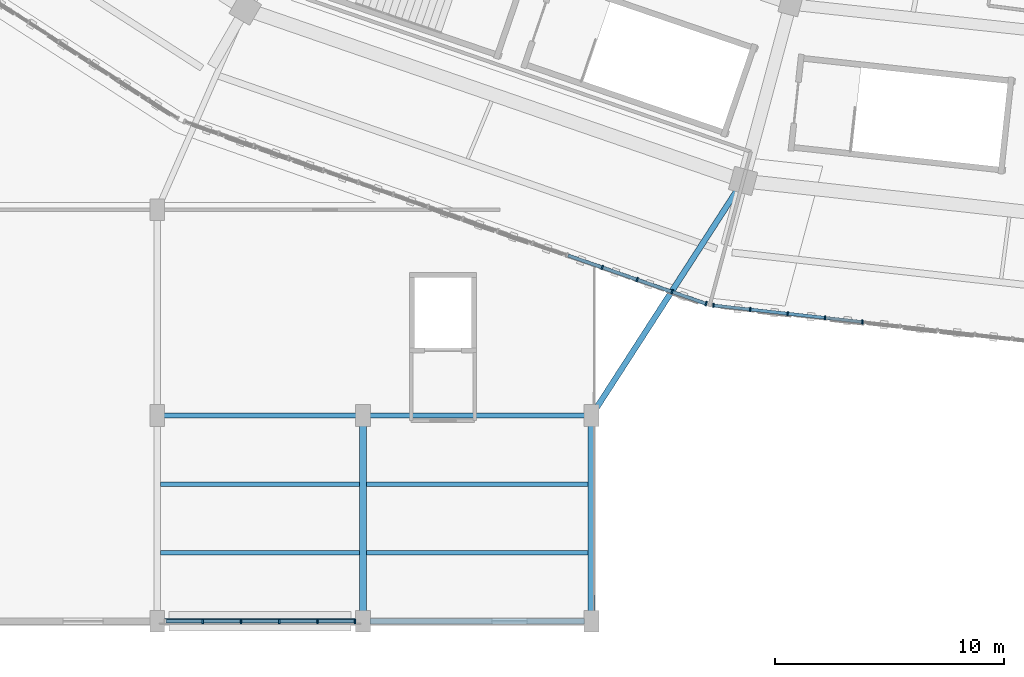
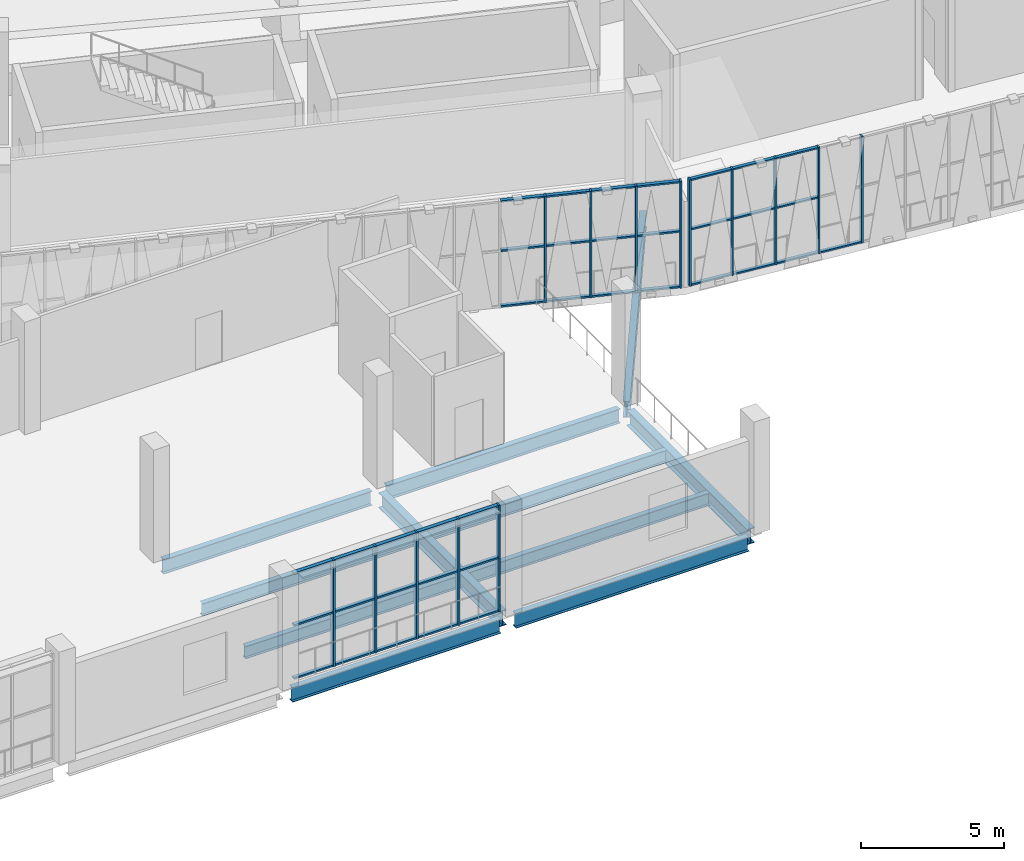
# One storey, part 12 of 152: 51 members, 11 beams, 3 elements without a shape of their own.
"""IFC4 building model written with IfcOpenShell, lengths in metres."""

from ifc_helpers import new_model, si_unit, direction, frame, origin, origin_2d, place, context, subcontext, project, spatial, rectangle, i_section, extrude, material, material_profile, profile_set, type_object, element, aggregate, save


model = new_model("IFC4")

# Units and contexts
model_context = context("Model", 3, precision=1e-05, world=origin(), true_north=direction((0.0, 1.0)))
body_context = subcontext(model_context, "Body", "Model", "MODEL_VIEW")
ifc_project = project(units=[si_unit("LENGTHUNIT", "METRE"), si_unit("AREAUNIT", "SQUARE_METRE"), si_unit("VOLUMEUNIT", "CUBIC_METRE"), si_unit("PLANEANGLEUNIT", "RADIAN"), si_unit("MASSUNIT", "GRAM", prefix="KILO")], contexts=[model_context])

# Site, building, storey
site_placement = place(None, origin())
site = spatial("IfcSite", under=ifc_project, at=site_placement, CompositionType="ELEMENT")
building_placement = place(site_placement, origin())
building = spatial("IfcBuilding", under=site, at=building_placement, Name="Zevraka Park Crest Stadium", CompositionType="ELEMENT")
storey_placement = place(building_placement, frame((0.0, 0.0, 15.0)))
storey = spatial("IfcBuildingStorey", under=building, at=storey_placement, Name="L03", CompositionType="ELEMENT", Elevation=15.0)

# Beams
ifc_material_1 = material(Name="Steel S355", Category="steel")
ifc_material_profile_1 = material_profile(ifc_material_1, i_section(OverallWidth=0.253662109375, OverallDepth=0.68359375, WebThickness=0.012451171875, FlangeThickness=0.01904296875, at=origin_2d()), Name="UKB 686x254x140")
ifc_profile_set_1 = profile_set([ifc_material_profile_1], Name="Steel S355")
beam_type_1 = type_object("IfcBeamType", Name="BG05", PredefinedType="BEAM", material=ifc_profile_set_1)
beam_placement = place(storey_placement, frame((82.10791015625, 9.16796875, -0.649658203125), z_axis=(0.542497990174, 0.840057099641, 0.0), x_axis=(-0.840057099641, 0.542497990174, 0.0)))
element("IfcBeam", 1, at=beam_placement, inside=storey, type_object=beam_type_1, Name="Wing Link Girder BG05 L03-10/B", PredefinedType="BEAM", context=body_context, shape_type="SweptSolid", body=[
    extrude(i_section(OverallWidth=0.253662109375, OverallDepth=0.68359375, WebThickness=0.012451171875, FlangeThickness=0.01904296875, at=origin_2d()), origin(), (0.0, 0.0, 1.0), 11.640869140625),
])
ifc_material_2 = material(Name="Steel S355", Category="steel")
ifc_material_profile_2 = material_profile(ifc_material_2, i_section(OverallWidth=0.300048828125, OverallDepth=0.64990234375, WebThickness=0.01611328125, FlangeThickness=0.031005859375, at=origin_2d()), Name="HEB 650")
ifc_profile_set_2 = profile_set([ifc_material_profile_2], Name="Steel S355")
beam_type_2 = type_object("IfcBeamType", Name="BG07", PredefinedType="BEAM", material=ifc_profile_set_2)
for number, where, z_axis, x_axis, name in (
    (2, (72.0, 0.300048828125, -0.633056640625), (0.0, 1.0, 0.0), (-1.0, 0.0, 0.0), "Wing Girder BG07 L03-9/AB"),
    (3, (82.0, 0.300048828125, -0.633056640625), (0.0, 1.0, 0.0), (-1.0, 0.0, 0.0), "Wing Girder BG07 L03-10/AB"),
):
    element("IfcBeam", number, at=place(storey_placement, frame(where, z_axis=z_axis, x_axis=x_axis)), inside=storey, type_object=beam_type_2, Name=name, PredefinedType="BEAM", context=body_context, shape_type="SweptSolid", body=[
        extrude(i_section(OverallWidth=0.300048828125, OverallDepth=0.64990234375, WebThickness=0.01611328125, FlangeThickness=0.031005859375, at=origin_2d()), origin(), (0.0, 0.0, 1.0), 8.39990234375),
    ])
ifc_material_3 = material(Name="Steel S355", Category="steel")
ifc_material_profile_3 = material_profile(ifc_material_3, i_section(OverallWidth=0.22900390625, OverallDepth=0.612060546875, WebThickness=0.011962890625, FlangeThickness=0.01953125, at=origin_2d()), Name="UKB 610x229x125")
ifc_profile_set_3 = profile_set([ifc_material_profile_3], Name="Steel S355")
beam_type_3 = type_object("IfcBeamType", Name="BG09", PredefinedType="BEAM", material=ifc_profile_set_3)
for number, where, z_axis, x_axis, name in (
    (4, (63.300048828125, 0.0, -0.614013671875), (1.0, 0.0, 0.0), (0.0, 1.0, 0.0), "Wing Girder BG09 L03-89/A"),
    (5, (63.300048828125, 9.0, -0.614013671875), (1.0, 0.0, 0.0), (0.0, 1.0, 0.0), "Wing Girder BG09 L03-89/B"),
):
    element("IfcBeam", number, at=place(storey_placement, frame(where, z_axis=z_axis, x_axis=x_axis)), inside=storey, type_object=beam_type_3, Name=name, PredefinedType="BEAM", context=body_context, shape_type="SweptSolid", body=[
        extrude(i_section(OverallWidth=0.22900390625, OverallDepth=0.612060546875, WebThickness=0.011962890625, FlangeThickness=0.01953125, at=origin_2d()), origin(), (0.0, 0.0, 1.0), 8.39990234375),
    ])
for number, where, z_axis, x_axis, name in (
    (6, (72.300048828125, 0.0, -0.614013671875), (1.0, 0.0, 0.0), (0.0, 1.0, 0.0), "Wing Girder BG09 L03-910/A"),
    (7, (72.300048828125, 9.0, -0.614013671875), (1.0, 0.0, 0.0), (0.0, 1.0, 0.0), "Wing Girder BG09 L03-910/B"),
):
    element("IfcBeam", number, at=place(storey_placement, frame(where, z_axis=z_axis, x_axis=x_axis)), inside=storey, type_object=beam_type_3, Name=name, PredefinedType="BEAM", context=body_context, shape_type="SweptSolid", body=[
        extrude(i_section(OverallWidth=0.22900390625, OverallDepth=0.612060546875, WebThickness=0.011962890625, FlangeThickness=0.01953125, at=origin_2d()), origin(), (0.0, 0.0, 1.0), 9.39990234375),
    ])

# Curtain wall, members
ifc_material_4 = material(Name="Anodised architectural aluminium and laminated safety glass", Category="aluminium")
curtain_wall_type_1 = type_object("IfcCurtainWallType", Name="CW11", PredefinedType="NOTDEFINED", material=ifc_material_4)
curtain_wall_1_placement = place(storey_placement, origin())
curtain_wall_1 = element("IfcCurtainWall", 8, at=curtain_wall_1_placement, inside=storey, type_object=curtain_wall_type_1, Name="Unitised Ring Curtain Wall CW11 L03-17", PredefinedType="NOTDEFINED")
ifc_material_5 = material(Name="Anodised architectural aluminium", Category="aluminium")
ifc_material_profile_4 = material_profile(ifc_material_5, rectangle(XDim=0.179931640625, YDim=0.06494140625, at=origin_2d()), Name="ALU MULLION 180x65")
ifc_profile_set_4 = profile_set([ifc_material_profile_4], Name="Anodised architectural aluminium")
member_type_1 = type_object("IfcMemberType", Name="CM02", PredefinedType="MULLION", material=ifc_profile_set_4)
member_1_placement = place(storey_placement, frame((87.333251953125, 13.8203125, 0.0), z_axis=(0.0, 0.0, 1.0), x_axis=(0.110396006373, 0.993887680665, 0.0)))
member_1 = element("IfcMember", 9, at=member_1_placement, type_object=member_type_1, Name="CW11 mullion 1", PredefinedType="MULLION", context=body_context, shape_type="SweptSolid", body=[
    extrude(rectangle(XDim=0.179931640625, YDim=0.06494140625, at=origin_2d()), origin(), (0.0, 0.0, 1.0), 4.5400390625),
])
member_2_placement = place(storey_placement, frame((88.93896484375, 13.64208984375, 0.0), z_axis=(0.0, 0.0, 1.0), x_axis=(0.110396006373, 0.993887680665, 0.0)))
member_2 = element("IfcMember", 10, at=member_2_placement, type_object=member_type_1, Name="CW11 mullion 2", PredefinedType="MULLION", context=body_context, shape_type="SweptSolid", body=[
    extrude(rectangle(XDim=0.179931640625, YDim=0.06494140625, at=origin_2d()), origin(), (0.0, 0.0, 1.0), 4.5400390625),
])
member_3_placement = place(storey_placement, frame((90.576904296875, 13.460205078125, 0.0), z_axis=(0.0, 0.0, 1.0), x_axis=(0.110396006373, 0.993887680665, 0.0)))
member_3 = element("IfcMember", 11, at=member_3_placement, type_object=member_type_1, Name="CW11 mullion 3", PredefinedType="MULLION", context=body_context, shape_type="SweptSolid", body=[
    extrude(rectangle(XDim=0.179931640625, YDim=0.06494140625, at=origin_2d()), origin(), (0.0, 0.0, 1.0), 4.5400390625),
])
member_4_placement = place(storey_placement, frame((92.21484375, 13.2783203125, 0.0), z_axis=(0.0, 0.0, 1.0), x_axis=(0.110396006373, 0.993887680665, 0.0)))
member_4 = element("IfcMember", 12, at=member_4_placement, type_object=member_type_1, Name="CW11 mullion 4", PredefinedType="MULLION", context=body_context, shape_type="SweptSolid", body=[
    extrude(rectangle(XDim=0.179931640625, YDim=0.06494140625, at=origin_2d()), origin(), (0.0, 0.0, 1.0), 4.5400390625),
])
member_5_placement = place(storey_placement, frame((93.852783203125, 13.09619140625, 0.0), z_axis=(0.0, 0.0, 1.0), x_axis=(0.110396006373, 0.993887680665, 0.0)))
member_5 = element("IfcMember", 13, at=member_5_placement, type_object=member_type_1, Name="CW11 mullion 5", PredefinedType="MULLION", context=body_context, shape_type="SweptSolid", body=[
    extrude(rectangle(XDim=0.179931640625, YDim=0.06494140625, at=origin_2d()), origin(), (0.0, 0.0, 1.0), 4.5400390625),
])

ifc_material_6 = material(Name="Anodised architectural aluminium and laminated safety glass", Category="aluminium")
curtain_wall_type_2 = type_object("IfcCurtainWallType", Name="CW12", PredefinedType="NOTDEFINED", material=ifc_material_6)
curtain_wall_2_placement = place(storey_placement, origin())
curtain_wall_2 = element("IfcCurtainWall", 14, at=curtain_wall_2_placement, inside=storey, type_object=curtain_wall_type_2, Name="Unitised Ring Curtain Wall CW12 L03-16", PredefinedType="NOTDEFINED")
ifc_material_7 = material(Name="Anodised architectural aluminium", Category="aluminium")
ifc_material_profile_5 = material_profile(ifc_material_7, rectangle(XDim=0.199951171875, YDim=0.070068359375, at=origin_2d()), Name="ALU MULLION 200x70")
ifc_profile_set_5 = profile_set([ifc_material_profile_5], Name="Anodised architectural aluminium")
member_type_2 = type_object("IfcMemberType", Name="CM03", PredefinedType="MULLION", material=ifc_profile_set_5)
member_6_placement = place(storey_placement, frame((82.469482421875, 15.481689453125, 0.0), z_axis=(0.0, 0.0, 1.0), x_axis=(0.329916814701, 0.944010008092, 0.0)))
member_6 = element("IfcMember", 15, at=member_6_placement, type_object=member_type_2, Name="CW12 mullion 13", PredefinedType="MULLION", context=body_context, shape_type="SweptSolid", body=[
    extrude(rectangle(XDim=0.199951171875, YDim=0.070068359375, at=origin_2d()), origin(), (0.0, 0.0, 1.0), 4.5400390625),
])
member_7_placement = place(storey_placement, frame((83.995361328125, 14.948486328125, 0.0), z_axis=(0.0, 0.0, 1.0), x_axis=(0.329916814701, 0.944010008092, 0.0)))
member_7 = element("IfcMember", 16, at=member_7_placement, type_object=member_type_2, Name="CW12 mullion 14", PredefinedType="MULLION", context=body_context, shape_type="SweptSolid", body=[
    extrude(rectangle(XDim=0.199951171875, YDim=0.070068359375, at=origin_2d()), origin(), (0.0, 0.0, 1.0), 4.5400390625),
])
member_8_placement = place(storey_placement, frame((85.521240234375, 14.415283203125, 0.0), z_axis=(0.0, 0.0, 1.0), x_axis=(0.329916814701, 0.944010008092, 0.0)))
member_8 = element("IfcMember", 17, at=member_8_placement, type_object=member_type_2, Name="CW12 mullion 15", PredefinedType="MULLION", context=body_context, shape_type="SweptSolid", body=[
    extrude(rectangle(XDim=0.199951171875, YDim=0.070068359375, at=origin_2d()), origin(), (0.0, 0.0, 1.0), 4.5400390625),
])
member_9_placement = place(storey_placement, frame((87.013916015625, 13.8935546875, 0.0), z_axis=(0.0, 0.0, 1.0), x_axis=(0.329916814701, 0.944010008092, 0.0)))
member_9 = element("IfcMember", 18, at=member_9_placement, type_object=member_type_2, Name="CW12 mullion 16", PredefinedType="MULLION", context=body_context, shape_type="SweptSolid", body=[
    extrude(rectangle(XDim=0.199951171875, YDim=0.070068359375, at=origin_2d()), origin(), (0.0, 0.0, 1.0), 4.5400390625),
])

ifc_material_8 = material(Name="Anodised architectural aluminium and laminated safety glass", Category="aluminium")
curtain_wall_type_3 = type_object("IfcCurtainWallType", Name="CW30", PredefinedType="NOTDEFINED", material=ifc_material_8)
curtain_wall_3_placement = place(storey_placement, origin())
curtain_wall_3 = element("IfcCurtainWall", 19, at=curtain_wall_3_placement, inside=storey, type_object=curtain_wall_type_3, Name="Wing Curtain Wall CW30 L03-SW-S3-2", PredefinedType="NOTDEFINED")
member_10_placement = place(storey_placement, frame((71.64990234375, 0.0, 0.0), z_axis=(0.0, 0.0, 1.0), x_axis=(0.0, -1.0, 0.0)))
member_10 = element("IfcMember", 20, at=member_10_placement, type_object=member_type_2, Name="CW30 mullion 1", PredefinedType="MULLION", context=body_context, shape_type="SweptSolid", body=[
    extrude(rectangle(XDim=0.199951171875, YDim=0.070068359375, at=origin_2d()), origin(), (0.0, 0.0, 1.0), 4.5400390625),
])
member_11_placement = place(storey_placement, frame((70.010986328125, 0.0, 0.0), z_axis=(0.0, 0.0, 1.0), x_axis=(0.0, -1.0, 0.0)))
member_11 = element("IfcMember", 21, at=member_11_placement, type_object=member_type_2, Name="CW30 mullion 2", PredefinedType="MULLION", context=body_context, shape_type="SweptSolid", body=[
    extrude(rectangle(XDim=0.199951171875, YDim=0.070068359375, at=origin_2d()), origin(), (0.0, 0.0, 1.0), 4.5400390625),
])
member_12_placement = place(storey_placement, frame((68.3369140625, 0.0, 0.0), z_axis=(0.0, 0.0, 1.0), x_axis=(0.0, -1.0, 0.0)))
member_12 = element("IfcMember", 22, at=member_12_placement, type_object=member_type_2, Name="CW30 mullion 3", PredefinedType="MULLION", context=body_context, shape_type="SweptSolid", body=[
    extrude(rectangle(XDim=0.199951171875, YDim=0.070068359375, at=origin_2d()), origin(), (0.0, 0.0, 1.0), 4.5400390625),
])
member_13_placement = place(storey_placement, frame((66.6630859375, 0.0, 0.0), z_axis=(0.0, 0.0, 1.0), x_axis=(0.0, -1.0, 0.0)))
member_13 = element("IfcMember", 23, at=member_13_placement, type_object=member_type_2, Name="CW30 mullion 4", PredefinedType="MULLION", context=body_context, shape_type="SweptSolid", body=[
    extrude(rectangle(XDim=0.199951171875, YDim=0.070068359375, at=origin_2d()), origin(), (0.0, 0.0, 1.0), 4.5400390625),
])
member_14_placement = place(storey_placement, frame((64.989013671875, 0.0, 0.0), z_axis=(0.0, 0.0, 1.0), x_axis=(0.0, -1.0, 0.0)))
member_14 = element("IfcMember", 24, at=member_14_placement, type_object=member_type_2, Name="CW30 mullion 5", PredefinedType="MULLION", context=body_context, shape_type="SweptSolid", body=[
    extrude(rectangle(XDim=0.199951171875, YDim=0.070068359375, at=origin_2d()), origin(), (0.0, 0.0, 1.0), 4.5400390625),
])

# Member
ifc_material_9 = material(Name="Anodised architectural aluminium", Category="aluminium")
ifc_material_profile_6 = material_profile(ifc_material_9, rectangle(XDim=0.139892578125, YDim=0.06494140625, at=origin_2d()), Name="ALU TRANSOM 140x65")
ifc_profile_set_6 = profile_set([ifc_material_profile_6], Name="Anodised architectural aluminium")
member_type_3 = type_object("IfcMemberType", Name="CT02", PredefinedType="USERDEFINED", material=ifc_profile_set_6)
member_15_placement = place(storey_placement, frame((87.36572265625, 13.81689453125, 0.032470703125), z_axis=(0.993889494064, -0.110379679236, 0.0), x_axis=(0.110379679236, 0.993889494064, 0.0)))
member_15 = element("IfcMember", 25, at=member_15_placement, type_object=member_type_3, Name="CW11 transom 1.1", ObjectType="TRANSOM", PredefinedType="USERDEFINED", context=body_context, shape_type="SweptSolid", body=[
    extrude(rectangle(XDim=0.139892578125, YDim=0.06494140625, at=origin_2d()), origin(), (0.0, 0.0, 1.0), 1.550537109375),
])

member_16_placement = place(storey_placement, frame((87.36572265625, 13.81689453125, 2.39990234375), z_axis=(0.993889494064, -0.110379679236, 0.0), x_axis=(0.110379679236, 0.993889494064, 0.0)))
member_16 = element("IfcMember", 26, at=member_16_placement, type_object=member_type_3, Name="CW11 transom 1.2", ObjectType="TRANSOM", PredefinedType="USERDEFINED", context=body_context, shape_type="SweptSolid", body=[
    extrude(rectangle(XDim=0.139892578125, YDim=0.06494140625, at=origin_2d()), origin(), (0.0, 0.0, 1.0), 1.550537109375),
])

member_17_placement = place(storey_placement, frame((87.36572265625, 13.81689453125, 4.507568359375), z_axis=(0.993889494064, -0.110379679236, 0.0), x_axis=(0.110379679236, 0.993889494064, 0.0)))
member_17 = element("IfcMember", 27, at=member_17_placement, type_object=member_type_3, Name="CW11 transom 1.3", ObjectType="TRANSOM", PredefinedType="USERDEFINED", context=body_context, shape_type="SweptSolid", body=[
    extrude(rectangle(XDim=0.139892578125, YDim=0.06494140625, at=origin_2d()), origin(), (0.0, 0.0, 1.0), 1.550537109375),
])

member_18_placement = place(storey_placement, frame((88.97119140625, 13.638427734375, 0.032470703125), z_axis=(0.993885615143, -0.110414600534, 0.0), x_axis=(0.110414600534, 0.993885615143, 0.0)))
member_18 = element("IfcMember", 28, at=member_18_placement, type_object=member_type_3, Name="CW11 transom 2.1", ObjectType="TRANSOM", PredefinedType="USERDEFINED", context=body_context, shape_type="SweptSolid", body=[
    extrude(rectangle(XDim=0.139892578125, YDim=0.06494140625, at=origin_2d()), origin(), (0.0, 0.0, 1.0), 1.583251953125),
])

member_19_placement = place(storey_placement, frame((88.97119140625, 13.638427734375, 2.39990234375), z_axis=(0.993885615143, -0.110414600534, 0.0), x_axis=(0.110414600534, 0.993885615143, 0.0)))
member_19 = element("IfcMember", 29, at=member_19_placement, type_object=member_type_3, Name="CW11 transom 2.2", ObjectType="TRANSOM", PredefinedType="USERDEFINED", context=body_context, shape_type="SweptSolid", body=[
    extrude(rectangle(XDim=0.139892578125, YDim=0.06494140625, at=origin_2d()), origin(), (0.0, 0.0, 1.0), 1.583251953125),
])

member_20_placement = place(storey_placement, frame((88.97119140625, 13.638427734375, 4.507568359375), z_axis=(0.993885615143, -0.110414600534, 0.0), x_axis=(0.110414600534, 0.993885615143, 0.0)))
member_20 = element("IfcMember", 30, at=member_20_placement, type_object=member_type_3, Name="CW11 transom 2.3", ObjectType="TRANSOM", PredefinedType="USERDEFINED", context=body_context, shape_type="SweptSolid", body=[
    extrude(rectangle(XDim=0.139892578125, YDim=0.06494140625, at=origin_2d()), origin(), (0.0, 0.0, 1.0), 1.583251953125),
])

member_21_placement = place(storey_placement, frame((90.609130859375, 13.45654296875, 0.032470703125), z_axis=(0.993885615143, -0.110414600534, 0.0), x_axis=(0.110414600534, 0.993885615143, 0.0)))
member_21 = element("IfcMember", 31, at=member_21_placement, type_object=member_type_3, Name="CW11 transom 3.1", ObjectType="TRANSOM", PredefinedType="USERDEFINED", context=body_context, shape_type="SweptSolid", body=[
    extrude(rectangle(XDim=0.139892578125, YDim=0.06494140625, at=origin_2d()), origin(), (0.0, 0.0, 1.0), 1.583251953125),
])

member_22_placement = place(storey_placement, frame((90.609130859375, 13.45654296875, 2.39990234375), z_axis=(0.993885615143, -0.110414600534, 0.0), x_axis=(0.110414600534, 0.993885615143, 0.0)))
member_22 = element("IfcMember", 32, at=member_22_placement, type_object=member_type_3, Name="CW11 transom 3.2", ObjectType="TRANSOM", PredefinedType="USERDEFINED", context=body_context, shape_type="SweptSolid", body=[
    extrude(rectangle(XDim=0.139892578125, YDim=0.06494140625, at=origin_2d()), origin(), (0.0, 0.0, 1.0), 1.583251953125),
])

member_23_placement = place(storey_placement, frame((90.609130859375, 13.45654296875, 4.507568359375), z_axis=(0.993885615143, -0.110414600534, 0.0), x_axis=(0.110414600534, 0.993885615143, 0.0)))
member_23 = element("IfcMember", 33, at=member_23_placement, type_object=member_type_3, Name="CW11 transom 3.3", ObjectType="TRANSOM", PredefinedType="USERDEFINED", context=body_context, shape_type="SweptSolid", body=[
    extrude(rectangle(XDim=0.139892578125, YDim=0.06494140625, at=origin_2d()), origin(), (0.0, 0.0, 1.0), 1.583251953125),
])

member_24_placement = place(storey_placement, frame((92.2470703125, 13.274658203125, 0.032470703125), z_axis=(0.993883734674, -0.110431526075, 0.0), x_axis=(0.110431526075, 0.993883734674, 0.0)))
member_24 = element("IfcMember", 34, at=member_24_placement, type_object=member_type_3, Name="CW11 transom 4.1", ObjectType="TRANSOM", PredefinedType="USERDEFINED", context=body_context, shape_type="SweptSolid", body=[
    extrude(rectangle(XDim=0.139892578125, YDim=0.06494140625, at=origin_2d()), origin(), (0.0, 0.0, 1.0), 1.5830078125),
])

aggregate(curtain_wall_1, [member_1, member_2, member_3, member_4, member_5, member_15, member_16, member_17, member_18, member_19, member_20, member_21, member_22, member_23, member_24])

ifc_material_10 = material(Name="Anodised architectural aluminium", Category="aluminium")
ifc_material_profile_7 = material_profile(ifc_material_10, rectangle(XDim=0.14990234375, YDim=0.070068359375, at=origin_2d()), Name="ALU TRANSOM 150x70")
ifc_profile_set_7 = profile_set([ifc_material_profile_7], Name="Anodised architectural aluminium")
member_type_4 = type_object("IfcMemberType", Name="CT03", PredefinedType="USERDEFINED", material=ifc_profile_set_7)
member_25_placement = place(storey_placement, frame((80.9765625, 16.00341796875, 0.034912109375), z_axis=(0.944037911501, -0.329836962222, 0.0), x_axis=(0.329836962222, 0.944037911501, 0.0)))
member_25 = element("IfcMember", 35, at=member_25_placement, type_object=member_type_4, Name="CW12 transom 12.1", ObjectType="TRANSOM", PredefinedType="USERDEFINED", context=body_context, shape_type="SweptSolid", body=[
    extrude(rectangle(XDim=0.14990234375, YDim=0.070068359375, at=origin_2d()), origin(), (0.0, 0.0, 1.0), 1.546142578125),
])

member_26_placement = place(storey_placement, frame((80.9765625, 16.00341796875, 2.39990234375), z_axis=(0.944037911501, -0.329836962222, 0.0), x_axis=(0.329836962222, 0.944037911501, 0.0)))
member_26 = element("IfcMember", 36, at=member_26_placement, type_object=member_type_4, Name="CW12 transom 12.2", ObjectType="TRANSOM", PredefinedType="USERDEFINED", context=body_context, shape_type="SweptSolid", body=[
    extrude(rectangle(XDim=0.14990234375, YDim=0.070068359375, at=origin_2d()), origin(), (0.0, 0.0, 1.0), 1.546142578125),
])

member_27_placement = place(storey_placement, frame((80.9765625, 16.00341796875, 4.5048828125), z_axis=(0.944037911501, -0.329836962222, 0.0), x_axis=(0.329836962222, 0.944037911501, 0.0)))
member_27 = element("IfcMember", 37, at=member_27_placement, type_object=member_type_4, Name="CW12 transom 12.3", ObjectType="TRANSOM", PredefinedType="USERDEFINED", context=body_context, shape_type="SweptSolid", body=[
    extrude(rectangle(XDim=0.14990234375, YDim=0.070068359375, at=origin_2d()), origin(), (0.0, 0.0, 1.0), 1.546142578125),
])

member_28_placement = place(storey_placement, frame((82.50244140625, 15.47021484375, 0.034912109375), z_axis=(0.943988739301, -0.329977666021, 0.0), x_axis=(0.329977666021, 0.943988739301, 0.0)))
member_28 = element("IfcMember", 38, at=member_28_placement, type_object=member_type_4, Name="CW12 transom 13.1", ObjectType="TRANSOM", PredefinedType="USERDEFINED", context=body_context, shape_type="SweptSolid", body=[
    extrude(rectangle(XDim=0.14990234375, YDim=0.070068359375, at=origin_2d()), origin(), (0.0, 0.0, 1.0), 1.54638671875),
])

member_29_placement = place(storey_placement, frame((82.50244140625, 15.47021484375, 2.39990234375), z_axis=(0.943988739301, -0.329977666021, 0.0), x_axis=(0.329977666021, 0.943988739301, 0.0)))
member_29 = element("IfcMember", 39, at=member_29_placement, type_object=member_type_4, Name="CW12 transom 13.2", ObjectType="TRANSOM", PredefinedType="USERDEFINED", context=body_context, shape_type="SweptSolid", body=[
    extrude(rectangle(XDim=0.14990234375, YDim=0.070068359375, at=origin_2d()), origin(), (0.0, 0.0, 1.0), 1.54638671875),
])

member_30_placement = place(storey_placement, frame((82.50244140625, 15.47021484375, 4.5048828125), z_axis=(0.943988739301, -0.329977666021, 0.0), x_axis=(0.329977666021, 0.943988739301, 0.0)))
member_30 = element("IfcMember", 40, at=member_30_placement, type_object=member_type_4, Name="CW12 transom 13.3", ObjectType="TRANSOM", PredefinedType="USERDEFINED", context=body_context, shape_type="SweptSolid", body=[
    extrude(rectangle(XDim=0.14990234375, YDim=0.070068359375, at=origin_2d()), origin(), (0.0, 0.0, 1.0), 1.54638671875),
])

member_31_placement = place(storey_placement, frame((84.0283203125, 14.93701171875, 0.034912109375), z_axis=(0.943988739301, -0.329977666021, 0.0), x_axis=(0.329977666021, 0.943988739301, 0.0)))
member_31 = element("IfcMember", 41, at=member_31_placement, type_object=member_type_4, Name="CW12 transom 14.1", ObjectType="TRANSOM", PredefinedType="USERDEFINED", context=body_context, shape_type="SweptSolid", body=[
    extrude(rectangle(XDim=0.14990234375, YDim=0.070068359375, at=origin_2d()), origin(), (0.0, 0.0, 1.0), 1.54638671875),
])

member_32_placement = place(storey_placement, frame((84.0283203125, 14.93701171875, 2.39990234375), z_axis=(0.943988739301, -0.329977666021, 0.0), x_axis=(0.329977666021, 0.943988739301, 0.0)))
member_32 = element("IfcMember", 42, at=member_32_placement, type_object=member_type_4, Name="CW12 transom 14.2", ObjectType="TRANSOM", PredefinedType="USERDEFINED", context=body_context, shape_type="SweptSolid", body=[
    extrude(rectangle(XDim=0.14990234375, YDim=0.070068359375, at=origin_2d()), origin(), (0.0, 0.0, 1.0), 1.54638671875),
])

member_33_placement = place(storey_placement, frame((84.0283203125, 14.93701171875, 4.5048828125), z_axis=(0.943988739301, -0.329977666021, 0.0), x_axis=(0.329977666021, 0.943988739301, 0.0)))
member_33 = element("IfcMember", 43, at=member_33_placement, type_object=member_type_4, Name="CW12 transom 14.3", ObjectType="TRANSOM", PredefinedType="USERDEFINED", context=body_context, shape_type="SweptSolid", body=[
    extrude(rectangle(XDim=0.14990234375, YDim=0.070068359375, at=origin_2d()), origin(), (0.0, 0.0, 1.0), 1.54638671875),
])

member_34_placement = place(storey_placement, frame((85.55419921875, 14.40380859375, 0.034912109375), z_axis=(0.943979170589, -0.330005038589, 0.0), x_axis=(0.330005038589, 0.943979170589, 0.0)))
member_34 = element("IfcMember", 44, at=member_34_placement, type_object=member_type_4, Name="CW12 transom 15.1", ObjectType="TRANSOM", PredefinedType="USERDEFINED", context=body_context, shape_type="SweptSolid", body=[
    extrude(rectangle(XDim=0.14990234375, YDim=0.070068359375, at=origin_2d()), origin(), (0.0, 0.0, 1.0), 1.511474609375),
])

member_35_placement = place(storey_placement, frame((85.55419921875, 14.40380859375, 2.39990234375), z_axis=(0.943979170589, -0.330005038589, 0.0), x_axis=(0.330005038589, 0.943979170589, 0.0)))
member_35 = element("IfcMember", 45, at=member_35_placement, type_object=member_type_4, Name="CW12 transom 15.2", ObjectType="TRANSOM", PredefinedType="USERDEFINED", context=body_context, shape_type="SweptSolid", body=[
    extrude(rectangle(XDim=0.14990234375, YDim=0.070068359375, at=origin_2d()), origin(), (0.0, 0.0, 1.0), 1.511474609375),
])

member_36_placement = place(storey_placement, frame((85.55419921875, 14.40380859375, 4.5048828125), z_axis=(0.943979170589, -0.330005038589, 0.0), x_axis=(0.330005038589, 0.943979170589, 0.0)))
member_36 = element("IfcMember", 46, at=member_36_placement, type_object=member_type_4, Name="CW12 transom 15.3", ObjectType="TRANSOM", PredefinedType="USERDEFINED", context=body_context, shape_type="SweptSolid", body=[
    extrude(rectangle(XDim=0.14990234375, YDim=0.070068359375, at=origin_2d()), origin(), (0.0, 0.0, 1.0), 1.511474609375),
])

aggregate(curtain_wall_2, [member_6, member_7, member_8, member_9, member_25, member_26, member_27, member_28, member_29, member_30, member_31, member_32, member_33, member_34, member_35, member_36])

member_37_placement = place(storey_placement, frame((71.614990234375, 0.0, 0.034912109375), z_axis=(-1.0, 0.0, 0.0), x_axis=(0.0, -1.0, 0.0)))
member_37 = element("IfcMember", 47, at=member_37_placement, type_object=member_type_4, Name="CW30 transom 1.1", ObjectType="TRANSOM", PredefinedType="USERDEFINED", context=body_context, shape_type="SweptSolid", body=[
    extrude(rectangle(XDim=0.14990234375, YDim=0.070068359375, at=origin_2d()), origin(), (0.0, 0.0, 1.0), 1.569091796875),
])

member_38_placement = place(storey_placement, frame((71.614990234375, 0.0, 2.300048828125), z_axis=(-1.0, 0.0, 0.0), x_axis=(0.0, -1.0, 0.0)))
member_38 = element("IfcMember", 48, at=member_38_placement, type_object=member_type_4, Name="CW30 transom 1.2", ObjectType="TRANSOM", PredefinedType="USERDEFINED", context=body_context, shape_type="SweptSolid", body=[
    extrude(rectangle(XDim=0.14990234375, YDim=0.070068359375, at=origin_2d()), origin(), (0.0, 0.0, 1.0), 1.569091796875),
])

member_39_placement = place(storey_placement, frame((71.614990234375, 0.0, 4.5048828125), z_axis=(-1.0, 0.0, 0.0), x_axis=(0.0, -1.0, 0.0)))
member_39 = element("IfcMember", 49, at=member_39_placement, type_object=member_type_4, Name="CW30 transom 1.3", ObjectType="TRANSOM", PredefinedType="USERDEFINED", context=body_context, shape_type="SweptSolid", body=[
    extrude(rectangle(XDim=0.14990234375, YDim=0.070068359375, at=origin_2d()), origin(), (0.0, 0.0, 1.0), 1.569091796875),
])

member_40_placement = place(storey_placement, frame((69.97607421875, 0.0, 0.034912109375), z_axis=(-1.0, 0.0, 0.0), x_axis=(0.0, -1.0, 0.0)))
member_40 = element("IfcMember", 50, at=member_40_placement, type_object=member_type_4, Name="CW30 transom 2.1", ObjectType="TRANSOM", PredefinedType="USERDEFINED", context=body_context, shape_type="SweptSolid", body=[
    extrude(rectangle(XDim=0.14990234375, YDim=0.070068359375, at=origin_2d()), origin(), (0.0, 0.0, 1.0), 1.60400390625),
])

member_41_placement = place(storey_placement, frame((69.97607421875, 0.0, 2.300048828125), z_axis=(-1.0, 0.0, 0.0), x_axis=(0.0, -1.0, 0.0)))
member_41 = element("IfcMember", 51, at=member_41_placement, type_object=member_type_4, Name="CW30 transom 2.2", ObjectType="TRANSOM", PredefinedType="USERDEFINED", context=body_context, shape_type="SweptSolid", body=[
    extrude(rectangle(XDim=0.14990234375, YDim=0.070068359375, at=origin_2d()), origin(), (0.0, 0.0, 1.0), 1.60400390625),
])

member_42_placement = place(storey_placement, frame((69.97607421875, 0.0, 4.5048828125), z_axis=(-1.0, 0.0, 0.0), x_axis=(0.0, -1.0, 0.0)))
member_42 = element("IfcMember", 52, at=member_42_placement, type_object=member_type_4, Name="CW30 transom 2.3", ObjectType="TRANSOM", PredefinedType="USERDEFINED", context=body_context, shape_type="SweptSolid", body=[
    extrude(rectangle(XDim=0.14990234375, YDim=0.070068359375, at=origin_2d()), origin(), (0.0, 0.0, 1.0), 1.60400390625),
])

member_43_placement = place(storey_placement, frame((68.302001953125, 0.0, 0.034912109375), z_axis=(-1.0, 0.0, 0.0), x_axis=(0.0, -1.0, 0.0)))
member_43 = element("IfcMember", 53, at=member_43_placement, type_object=member_type_4, Name="CW30 transom 3.1", ObjectType="TRANSOM", PredefinedType="USERDEFINED", context=body_context, shape_type="SweptSolid", body=[
    extrude(rectangle(XDim=0.14990234375, YDim=0.070068359375, at=origin_2d()), origin(), (0.0, 0.0, 1.0), 1.60400390625),
])

member_44_placement = place(storey_placement, frame((68.302001953125, 0.0, 2.300048828125), z_axis=(-1.0, 0.0, 0.0), x_axis=(0.0, -1.0, 0.0)))
member_44 = element("IfcMember", 54, at=member_44_placement, type_object=member_type_4, Name="CW30 transom 3.2", ObjectType="TRANSOM", PredefinedType="USERDEFINED", context=body_context, shape_type="SweptSolid", body=[
    extrude(rectangle(XDim=0.14990234375, YDim=0.070068359375, at=origin_2d()), origin(), (0.0, 0.0, 1.0), 1.60400390625),
])

member_45_placement = place(storey_placement, frame((68.302001953125, 0.0, 4.5048828125), z_axis=(-1.0, 0.0, 0.0), x_axis=(0.0, -1.0, 0.0)))
member_45 = element("IfcMember", 55, at=member_45_placement, type_object=member_type_4, Name="CW30 transom 3.3", ObjectType="TRANSOM", PredefinedType="USERDEFINED", context=body_context, shape_type="SweptSolid", body=[
    extrude(rectangle(XDim=0.14990234375, YDim=0.070068359375, at=origin_2d()), origin(), (0.0, 0.0, 1.0), 1.60400390625),
])

member_46_placement = place(storey_placement, frame((66.6279296875, 0.0, 0.034912109375), z_axis=(-1.0, 0.0, 0.0), x_axis=(0.0, -1.0, 0.0)))
member_46 = element("IfcMember", 56, at=member_46_placement, type_object=member_type_4, Name="CW30 transom 4.1", ObjectType="TRANSOM", PredefinedType="USERDEFINED", context=body_context, shape_type="SweptSolid", body=[
    extrude(rectangle(XDim=0.14990234375, YDim=0.070068359375, at=origin_2d()), origin(), (0.0, 0.0, 1.0), 1.60400390625),
])

member_47_placement = place(storey_placement, frame((66.6279296875, 0.0, 2.300048828125), z_axis=(-1.0, 0.0, 0.0), x_axis=(0.0, -1.0, 0.0)))
member_47 = element("IfcMember", 57, at=member_47_placement, type_object=member_type_4, Name="CW30 transom 4.2", ObjectType="TRANSOM", PredefinedType="USERDEFINED", context=body_context, shape_type="SweptSolid", body=[
    extrude(rectangle(XDim=0.14990234375, YDim=0.070068359375, at=origin_2d()), origin(), (0.0, 0.0, 1.0), 1.60400390625),
])

member_48_placement = place(storey_placement, frame((66.6279296875, 0.0, 4.5048828125), z_axis=(-1.0, 0.0, 0.0), x_axis=(0.0, -1.0, 0.0)))
member_48 = element("IfcMember", 58, at=member_48_placement, type_object=member_type_4, Name="CW30 transom 4.3", ObjectType="TRANSOM", PredefinedType="USERDEFINED", context=body_context, shape_type="SweptSolid", body=[
    extrude(rectangle(XDim=0.14990234375, YDim=0.070068359375, at=origin_2d()), origin(), (0.0, 0.0, 1.0), 1.60400390625),
])

member_49_placement = place(storey_placement, frame((64.9541015625, 0.0, 0.034912109375), z_axis=(-1.0, 0.0, 0.0), x_axis=(0.0, -1.0, 0.0)))
member_49 = element("IfcMember", 59, at=member_49_placement, type_object=member_type_4, Name="CW30 transom 5.1", ObjectType="TRANSOM", PredefinedType="USERDEFINED", context=body_context, shape_type="SweptSolid", body=[
    extrude(rectangle(XDim=0.14990234375, YDim=0.070068359375, at=origin_2d()), origin(), (0.0, 0.0, 1.0), 1.569091796875),
])

member_50_placement = place(storey_placement, frame((64.9541015625, 0.0, 2.300048828125), z_axis=(-1.0, 0.0, 0.0), x_axis=(0.0, -1.0, 0.0)))
member_50 = element("IfcMember", 60, at=member_50_placement, type_object=member_type_4, Name="CW30 transom 5.2", ObjectType="TRANSOM", PredefinedType="USERDEFINED", context=body_context, shape_type="SweptSolid", body=[
    extrude(rectangle(XDim=0.14990234375, YDim=0.070068359375, at=origin_2d()), origin(), (0.0, 0.0, 1.0), 1.569091796875),
])

member_51_placement = place(storey_placement, frame((64.9541015625, 0.0, 4.5048828125), z_axis=(-1.0, 0.0, 0.0), x_axis=(0.0, -1.0, 0.0)))
member_51 = element("IfcMember", 61, at=member_51_placement, type_object=member_type_4, Name="CW30 transom 5.3", ObjectType="TRANSOM", PredefinedType="USERDEFINED", context=body_context, shape_type="SweptSolid", body=[
    extrude(rectangle(XDim=0.14990234375, YDim=0.070068359375, at=origin_2d()), origin(), (0.0, 0.0, 1.0), 1.569091796875),
])

aggregate(curtain_wall_3, [member_10, member_11, member_12, member_13, member_14, member_37, member_38, member_39, member_40, member_41, member_42, member_43, member_44, member_45, member_46, member_47, member_48, member_49, member_50, member_51])

# Beams
ifc_material_11 = material(Name="Steel S355", Category="steel")
ifc_material_profile_8 = material_profile(ifc_material_11, i_section(OverallWidth=0.209228515625, OverallDepth=0.533203125, WebThickness=0.010009765625, FlangeThickness=0.015625, at=origin_2d()), Name="UKB 533x210x92")
ifc_profile_set_8 = profile_set([ifc_material_profile_8], Name="Steel S355")
beam_type_4 = type_object("IfcBeamType", Name="SJ05", PredefinedType="JOIST", material=ifc_profile_set_8)
for number, where, z_axis, x_axis, name in (
    (62, (63.14501953125, 3.0, -0.57666015625), (1.0, 0.0, 0.0), (0.0, 1.0, 0.0), "Wing Joist SJ05 L03-8/A-1"),
    (63, (63.14501953125, 6.0, -0.57666015625), (1.0, 0.0, 0.0), (0.0, 1.0, 0.0), "Wing Joist SJ05 L03-8/A-2"),
):
    element("IfcBeam", number, at=place(storey_placement, frame(where, z_axis=z_axis, x_axis=x_axis)), inside=storey, type_object=beam_type_4, Name=name, PredefinedType="JOIST", context=body_context, shape_type="SweptSolid", body=[
        extrude(i_section(OverallWidth=0.209228515625, OverallDepth=0.533203125, WebThickness=0.010009765625, FlangeThickness=0.015625, at=origin_2d()), origin(), (0.0, 0.0, 1.0), 8.7099609375),
    ])
for number, where, z_axis, x_axis, name in (
    (64, (72.14501953125, 3.0, -0.57666015625), (1.0, 0.0, 0.0), (0.0, 1.0, 0.0), "Wing Joist SJ05 L03-9/A-1"),
    (65, (72.14501953125, 6.0, -0.57666015625), (1.0, 0.0, 0.0), (0.0, 1.0, 0.0), "Wing Joist SJ05 L03-9/A-2"),
):
    element("IfcBeam", number, at=place(storey_placement, frame(where, z_axis=z_axis, x_axis=x_axis)), inside=storey, type_object=beam_type_4, Name=name, PredefinedType="JOIST", context=body_context, shape_type="SweptSolid", body=[
        extrude(i_section(OverallWidth=0.209228515625, OverallDepth=0.533203125, WebThickness=0.010009765625, FlangeThickness=0.015625, at=origin_2d()), origin(), (0.0, 0.0, 1.0), 9.7099609375),
    ])

save(model, "model.ifc")
